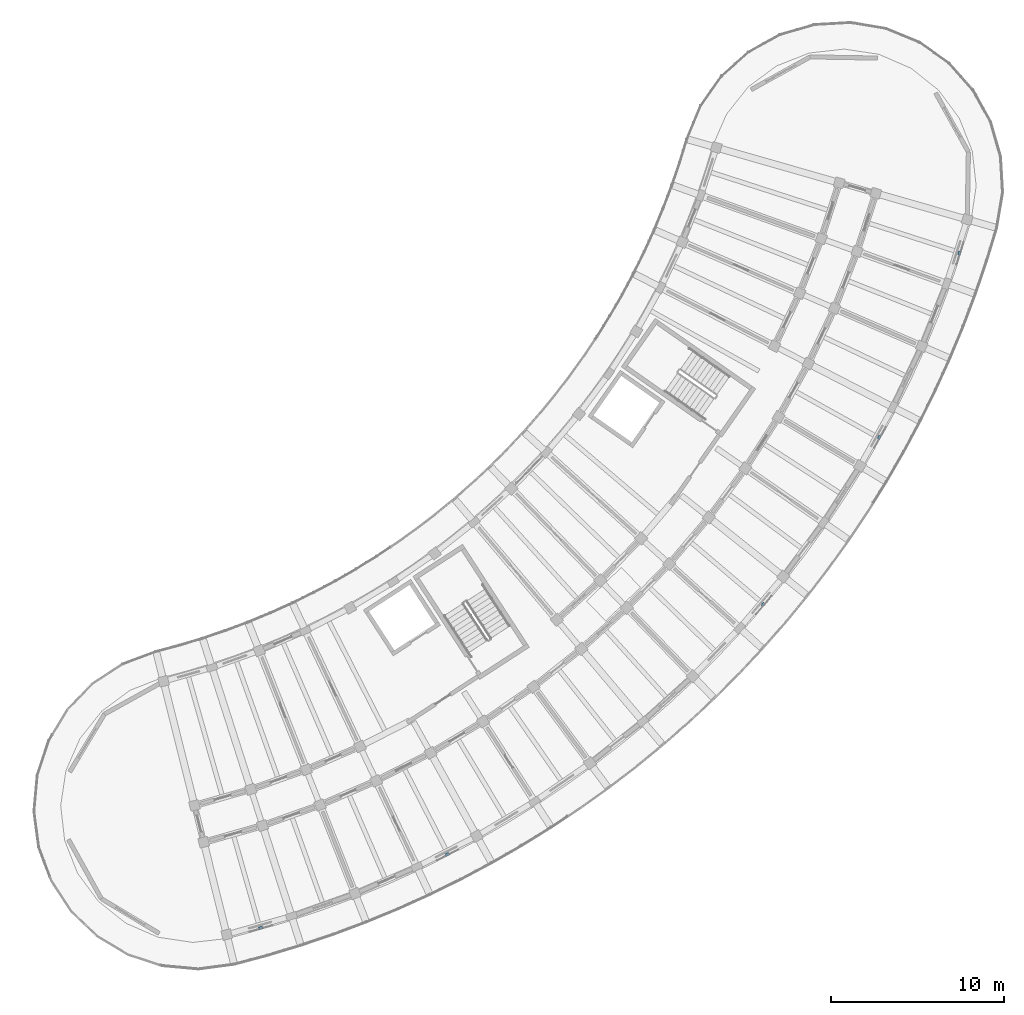
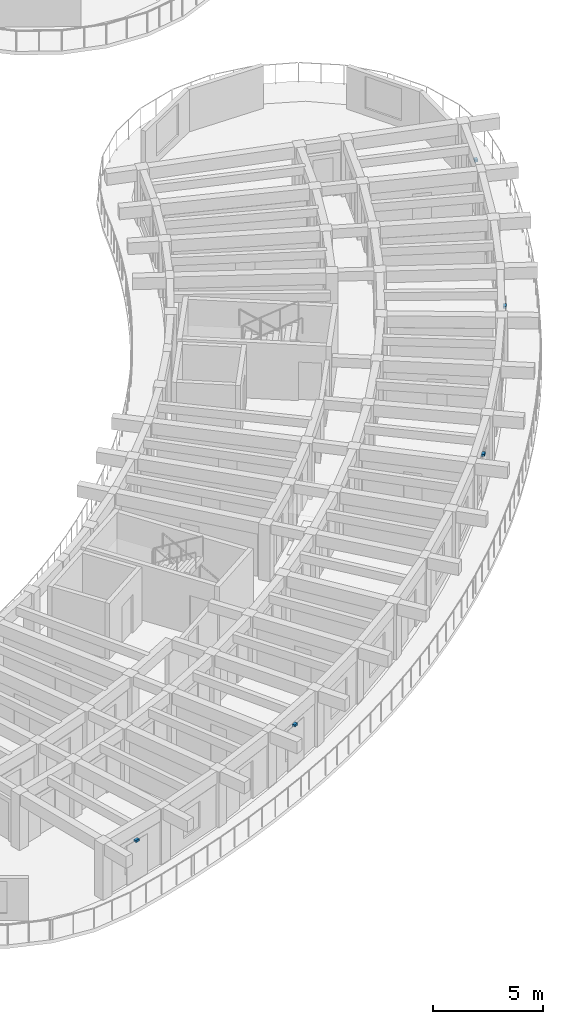
# One storey, part 63 of 81: 5 discrete accessories.
"""IFC4 building model written with IfcOpenShell, lengths in metres."""

from ifc_helpers import new_model, si_unit, direction, frame, origin, origin_2d, place, context, subcontext, project, spatial, rectangle, extrude, material, type_object, element, save


model = new_model("IFC4")

# Units and contexts
model_context = context("Model", 3, precision=1e-05, world=origin(), true_north=direction((0.0, 1.0)))
body_context = subcontext(model_context, "Body", "Model", "MODEL_VIEW")
ifc_project = project(units=[si_unit("LENGTHUNIT", "METRE"), si_unit("AREAUNIT", "SQUARE_METRE"), si_unit("VOLUMEUNIT", "CUBIC_METRE"), si_unit("PLANEANGLEUNIT", "RADIAN"), si_unit("MASSUNIT", "GRAM", prefix="KILO")], contexts=[model_context])

# Site, building, storey
site_placement = place(None, origin())
site = spatial("IfcSite", under=ifc_project, at=site_placement, CompositionType="ELEMENT")
building_placement = place(site_placement, origin())
building = spatial("IfcBuilding", under=site, at=building_placement, Name="Tanwirah Colonnade Gardens", CompositionType="ELEMENT")
storey_placement = place(building_placement, frame((0.0, 0.0, 8.840087890625)))
storey = spatial("IfcBuildingStorey", under=building, at=storey_placement, Name="L02", CompositionType="ELEMENT", Elevation=8.840087890625)

# Discrete accessories
ifc_material = material(Name="Steel S355", Category="steel")
discrete_accessory_type = type_object("IfcDiscreteAccessoryType", Name="BRK-SS1", PredefinedType="BRACKET", material=ifc_material)
for number, where, z_axis, x_axis, name in (
    (1, (137.370361328125, 7.1005859375, 2.10986328125), (0.0, 0.0, 1.0), (0.961860770803, 0.273539499139, 0.0), "Solar screen support bracket D-L02-00"),
    (2, (148.173828125, 11.356201171875, 2.184814453125), (0.0, 0.0, 1.0), (0.890014924435, 0.455931392078, 0.0), "Solar screen support bracket D-L02-03"),
    (3, (166.442626953125, 25.800537109375, 2.099853515625), (0.0, 0.0, 1.0), (0.647787018861, 0.761821487092, 0.0), "Solar screen support bracket D-L02-09"),
    (4, (173.1630859375, 35.488037109375, 2.10986328125), (0.0, 0.0, 1.0), (0.486717384336, 0.873559492985, 0.0), "Solar screen support bracket D-L02-12"),
    (5, (177.79296875, 46.136474609375, 2.184814453125), (0.0, 0.0, 1.0), (0.30694295016, 0.951727915608, 0.0), "Solar screen support bracket D-L02-15"),
):
    element("IfcDiscreteAccessory", number, at=place(storey_placement, frame(where, z_axis=z_axis, x_axis=x_axis)), inside=storey, type_object=discrete_accessory_type, Name=name, PredefinedType="BRACKET", context=body_context, shape_type="SweptSolid", body=[
        extrude(rectangle(XDim=0.219970703125, YDim=0.159912109375, at=origin_2d()), origin(), (0.0, 0.0, 1.0), 0.1201171875),
    ])

save(model, "model.ifc")
